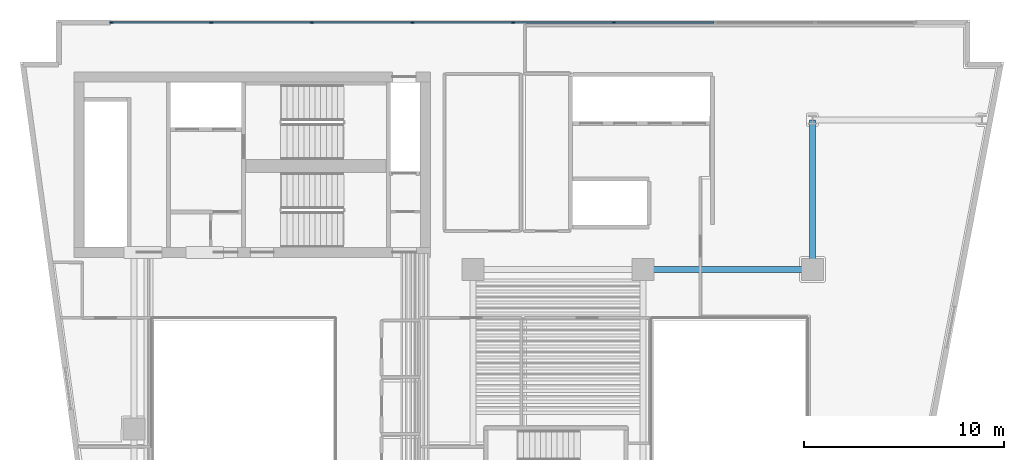
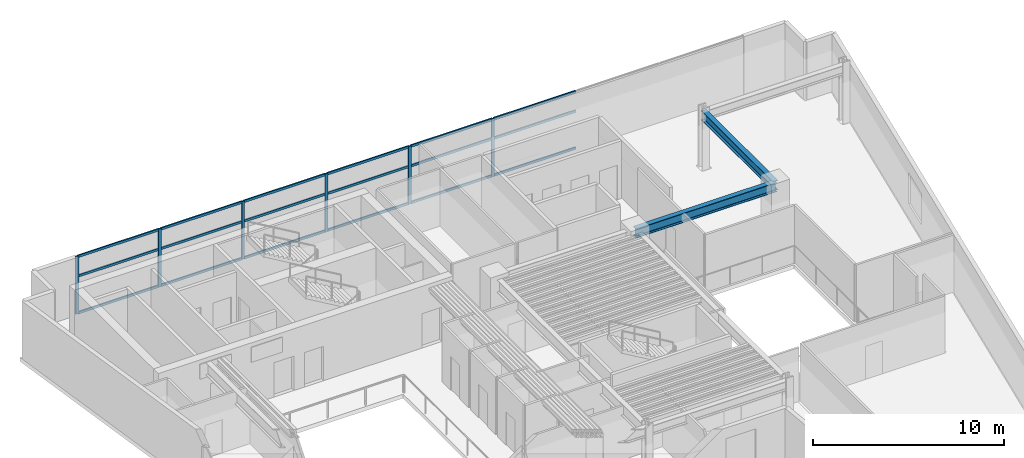
# One storey, part 3 of 12: 24 members, 2 beams, 1 element without a shape of its own.
"""IFC4 building model written with IfcOpenShell, lengths in metres."""

from ifc_helpers import new_model, si_unit, direction, frame, origin, origin_2d, place, context, subcontext, project, spatial, rectangle, i_section, extrude, material, layer, layer_set, material_profile, profile_set, type_object, element, aggregate, save


model = new_model("IFC4")

# Units and contexts
model_context = context("Model", 3, precision=1e-05, world=origin(), true_north=direction((0.0, 1.0)))
body_context = subcontext(model_context, "Body", "Model", "MODEL_VIEW")
ifc_project = project(units=[si_unit("LENGTHUNIT", "METRE"), si_unit("AREAUNIT", "SQUARE_METRE"), si_unit("VOLUMEUNIT", "CUBIC_METRE"), si_unit("PLANEANGLEUNIT", "RADIAN"), si_unit("MASSUNIT", "GRAM", prefix="KILO")], contexts=[model_context])

# Site, building, storey
site_placement = place(None, origin())
site = spatial("IfcSite", under=ifc_project, at=site_placement, CompositionType="ELEMENT")
building_placement = place(site_placement, origin())
building = spatial("IfcBuilding", under=site, at=building_placement, Name="Caeloran Harvest Quay", CompositionType="ELEMENT")
storey_placement = place(building_placement, frame((0.0, 0.0, 146.949951171875)))
storey = spatial("IfcBuildingStorey", under=building, at=storey_placement, Name="L34", CompositionType="ELEMENT", Elevation=146.949951171875)

# Beams
ifc_material_1 = material(Name="Steel S355J2", Category="steel")
ifc_material_profile_1 = material_profile(ifc_material_1, i_section(OverallWidth=0.300048828125, OverallDepth=0.60009765625, WebThickness=0.015380859375, FlangeThickness=0.030029296875, FilletRadius=0.027099609375, at=origin_2d()), Name="HE 600 B")
ifc_profile_set_1 = profile_set([ifc_material_profile_1], Name="Steel S355J2")
beam_type = type_object("IfcBeamType", Name="BM-PG-3-HE_600_B", PredefinedType="BEAM", material=ifc_profile_set_1)
beam_1_placement = place(storey_placement, frame((34.0, 31.0, 3.39013671875), z_axis=(1.0, 0.0, 0.0), x_axis=(0.0, 1.0, 0.0)))
element("IfcBeam", 1, at=beam_1_placement, inside=storey, type_object=beam_type, Name="L34 Primary East-West Girder Y=31.0", PredefinedType="BEAM", context=body_context, shape_type="SweptSolid", body=[
    extrude(i_section(OverallWidth=0.300048828125, OverallDepth=0.60009765625, WebThickness=0.015380859375, FlangeThickness=0.030029296875, FilletRadius=0.027099609375, at=origin_2d()), origin(), (0.0, 0.0, 1.0), 8.5),
])
beam_2_placement = place(storey_placement, frame((42.5, 31.0, 3.39013671875), z_axis=(0.0, 1.0, 0.0), x_axis=(-1.0, 0.0, 0.0)))
element("IfcBeam", 2, at=beam_2_placement, inside=storey, type_object=beam_type, Name="L34 Primary North-South Girder X=42.5", PredefinedType="BEAM", context=body_context, shape_type="SweptSolid", body=[
    extrude(i_section(OverallWidth=0.300048828125, OverallDepth=0.60009765625, WebThickness=0.015380859375, FlangeThickness=0.030029296875, FilletRadius=0.027099609375, at=origin_2d()), origin(), (0.0, 0.0, 1.0), 7.5),
])

# Curtain wall, members
ifc_material_2 = material(Name="Aluminium 6063-T6 and Low-E Glazing", Category="aluminium")
ifc_layer = layer(ifc_material_2, 0.18994140625, Name="Aluminium 6063-T6 and Low-E Glazing")
ifc_layer_set = layer_set([ifc_layer], Name="Aluminium 6063-T6 and Low-E Glazing")
curtain_wall_type = type_object("IfcCurtainWallType", Name="CW-SYS-CW-3", PredefinedType="USERDEFINED", material=ifc_layer_set)
curtain_wall_placement = place(storey_placement, origin())
curtain_wall = element("IfcCurtainWall", 3, at=curtain_wall_placement, inside=storey, type_object=curtain_wall_type, Name="L34 Unitised Curtain Wall CW-3 Run 6", ObjectType="CURTAIN_WALL", PredefinedType="USERDEFINED")
ifc_material_3 = material(Name="Aluminium 6063-T6", Category="aluminium")
ifc_material_profile_2 = material_profile(ifc_material_3, rectangle(XDim=0.080078125, YDim=0.179931640625, at=origin_2d()), Name="CW-MULLION-180")
ifc_profile_set_2 = profile_set([ifc_material_profile_2], Name="Aluminium 6063-T6")
member_type_1 = type_object("IfcMemberType", Name="CW-MULLION-180", PredefinedType="MULLION", material=ifc_profile_set_2)
member_1_placement = place(storey_placement, frame((7.3701171875, 43.3701171875, 0.0), z_axis=(0.0, 0.0, 1.0), x_axis=(0.0, 1.0, 0.0)))
member_1 = element("IfcMember", 4, at=member_1_placement, type_object=member_type_1, Name="CW-3 mullion 1", PredefinedType="MULLION", context=body_context, shape_type="SweptSolid", body=[
    extrude(rectangle(XDim=0.080078125, YDim=0.179931640625, at=origin_2d()), origin(), (0.0, 0.0, 1.0), 3.68994140625),
])
member_2_placement = place(storey_placement, frame((12.37255859375, 43.3701171875, 0.0), z_axis=(0.0, 0.0, 1.0), x_axis=(0.0, 1.0, 0.0)))
member_2 = element("IfcMember", 5, at=member_2_placement, type_object=member_type_1, Name="CW-3 mullion 2", PredefinedType="MULLION", context=body_context, shape_type="SweptSolid", body=[
    extrude(rectangle(XDim=0.080078125, YDim=0.179931640625, at=origin_2d()), origin(), (0.0, 0.0, 1.0), 3.68994140625),
])
member_3_placement = place(storey_placement, frame((17.4150390625, 43.3701171875, 0.0), z_axis=(0.0, 0.0, 1.0), x_axis=(0.0, 1.0, 0.0)))
member_3 = element("IfcMember", 6, at=member_3_placement, type_object=member_type_1, Name="CW-3 mullion 3", PredefinedType="MULLION", context=body_context, shape_type="SweptSolid", body=[
    extrude(rectangle(XDim=0.080078125, YDim=0.179931640625, at=origin_2d()), origin(), (0.0, 0.0, 1.0), 3.68994140625),
])
member_4_placement = place(storey_placement, frame((22.45751953125, 43.3701171875, 0.0), z_axis=(0.0, 0.0, 1.0), x_axis=(0.0, 1.0, 0.0)))
member_4 = element("IfcMember", 7, at=member_4_placement, type_object=member_type_1, Name="CW-3 mullion 4", PredefinedType="MULLION", context=body_context, shape_type="SweptSolid", body=[
    extrude(rectangle(XDim=0.080078125, YDim=0.179931640625, at=origin_2d()), origin(), (0.0, 0.0, 1.0), 3.68994140625),
])
member_5_placement = place(storey_placement, frame((27.5, 43.3701171875, 0.0), z_axis=(0.0, 0.0, 1.0), x_axis=(0.0, 1.0, 0.0)))
member_5 = element("IfcMember", 8, at=member_5_placement, type_object=member_type_1, Name="CW-3 mullion 5", PredefinedType="MULLION", context=body_context, shape_type="SweptSolid", body=[
    extrude(rectangle(XDim=0.080078125, YDim=0.179931640625, at=origin_2d()), origin(), (0.0, 0.0, 1.0), 3.68994140625),
])
member_6_placement = place(storey_placement, frame((32.54248046875, 43.3701171875, 0.0), z_axis=(0.0, 0.0, 1.0), x_axis=(0.0, 1.0, 0.0)))
member_6 = element("IfcMember", 9, at=member_6_placement, type_object=member_type_1, Name="CW-3 mullion 6", PredefinedType="MULLION", context=body_context, shape_type="SweptSolid", body=[
    extrude(rectangle(XDim=0.080078125, YDim=0.179931640625, at=origin_2d()), origin(), (0.0, 0.0, 1.0), 3.68994140625),
])
ifc_material_profile_3 = material_profile(ifc_material_3, rectangle(XDim=0.080078125, YDim=0.14990234375, at=origin_2d()), Name="CW-TRANSOM-150")
ifc_profile_set_3 = profile_set([ifc_material_profile_3], Name="Aluminium 6063-T6")
member_type_2 = type_object("IfcMemberType", Name="CW-TRANSOM-150", PredefinedType="USERDEFINED", material=ifc_profile_set_3)
member_7_placement = place(storey_placement, frame((7.409912109375, 43.3701171875, 0.0400390625), z_axis=(1.0, 0.0, 0.0), x_axis=(0.0, 1.0, 0.0)))
member_7 = element("IfcMember", 10, at=member_7_placement, type_object=member_type_2, Name="CW-3 transom 1.1", ObjectType="TRANSOM", PredefinedType="USERDEFINED", context=body_context, shape_type="SweptSolid", body=[
    extrude(rectangle(XDim=0.080078125, YDim=0.14990234375, at=origin_2d()), origin(), (0.0, 0.0, 1.0), 4.922607421875),
])
member_8_placement = place(storey_placement, frame((7.409912109375, 43.3701171875, 2.400146484375), z_axis=(1.0, 0.0, 0.0), x_axis=(0.0, 1.0, 0.0)))
member_8 = element("IfcMember", 11, at=member_8_placement, type_object=member_type_2, Name="CW-3 transom 1.2", ObjectType="TRANSOM", PredefinedType="USERDEFINED", context=body_context, shape_type="SweptSolid", body=[
    extrude(rectangle(XDim=0.080078125, YDim=0.14990234375, at=origin_2d()), origin(), (0.0, 0.0, 1.0), 4.922607421875),
])
member_9_placement = place(storey_placement, frame((7.409912109375, 43.3701171875, 3.650146484375), z_axis=(1.0, 0.0, 0.0), x_axis=(0.0, 1.0, 0.0)))
member_9 = element("IfcMember", 12, at=member_9_placement, type_object=member_type_2, Name="CW-3 transom 1.3", ObjectType="TRANSOM", PredefinedType="USERDEFINED", context=body_context, shape_type="SweptSolid", body=[
    extrude(rectangle(XDim=0.080078125, YDim=0.14990234375, at=origin_2d()), origin(), (0.0, 0.0, 1.0), 4.922607421875),
])
member_10_placement = place(storey_placement, frame((12.41259765625, 43.3701171875, 0.0400390625), z_axis=(1.0, 0.0, 0.0), x_axis=(0.0, 1.0, 0.0)))
member_10 = element("IfcMember", 13, at=member_10_placement, type_object=member_type_2, Name="CW-3 transom 2.1", ObjectType="TRANSOM", PredefinedType="USERDEFINED", context=body_context, shape_type="SweptSolid", body=[
    extrude(rectangle(XDim=0.080078125, YDim=0.14990234375, at=origin_2d()), origin(), (0.0, 0.0, 1.0), 4.96240234375),
])
member_11_placement = place(storey_placement, frame((12.41259765625, 43.3701171875, 2.400146484375), z_axis=(1.0, 0.0, 0.0), x_axis=(0.0, 1.0, 0.0)))
member_11 = element("IfcMember", 14, at=member_11_placement, type_object=member_type_2, Name="CW-3 transom 2.2", ObjectType="TRANSOM", PredefinedType="USERDEFINED", context=body_context, shape_type="SweptSolid", body=[
    extrude(rectangle(XDim=0.080078125, YDim=0.14990234375, at=origin_2d()), origin(), (0.0, 0.0, 1.0), 4.96240234375),
])
member_12_placement = place(storey_placement, frame((12.41259765625, 43.3701171875, 3.650146484375), z_axis=(1.0, 0.0, 0.0), x_axis=(0.0, 1.0, 0.0)))
member_12 = element("IfcMember", 15, at=member_12_placement, type_object=member_type_2, Name="CW-3 transom 2.3", ObjectType="TRANSOM", PredefinedType="USERDEFINED", context=body_context, shape_type="SweptSolid", body=[
    extrude(rectangle(XDim=0.080078125, YDim=0.14990234375, at=origin_2d()), origin(), (0.0, 0.0, 1.0), 4.96240234375),
])
member_13_placement = place(storey_placement, frame((17.455078125, 43.3701171875, 0.0400390625), z_axis=(1.0, 0.0, 0.0), x_axis=(0.0, 1.0, 0.0)))
member_13 = element("IfcMember", 16, at=member_13_placement, type_object=member_type_2, Name="CW-3 transom 3.1", ObjectType="TRANSOM", PredefinedType="USERDEFINED", context=body_context, shape_type="SweptSolid", body=[
    extrude(rectangle(XDim=0.080078125, YDim=0.14990234375, at=origin_2d()), origin(), (0.0, 0.0, 1.0), 4.96240234375),
])
member_14_placement = place(storey_placement, frame((17.455078125, 43.3701171875, 2.400146484375), z_axis=(1.0, 0.0, 0.0), x_axis=(0.0, 1.0, 0.0)))
member_14 = element("IfcMember", 17, at=member_14_placement, type_object=member_type_2, Name="CW-3 transom 3.2", ObjectType="TRANSOM", PredefinedType="USERDEFINED", context=body_context, shape_type="SweptSolid", body=[
    extrude(rectangle(XDim=0.080078125, YDim=0.14990234375, at=origin_2d()), origin(), (0.0, 0.0, 1.0), 4.96240234375),
])
member_15_placement = place(storey_placement, frame((17.455078125, 43.3701171875, 3.650146484375), z_axis=(1.0, 0.0, 0.0), x_axis=(0.0, 1.0, 0.0)))
member_15 = element("IfcMember", 18, at=member_15_placement, type_object=member_type_2, Name="CW-3 transom 3.3", ObjectType="TRANSOM", PredefinedType="USERDEFINED", context=body_context, shape_type="SweptSolid", body=[
    extrude(rectangle(XDim=0.080078125, YDim=0.14990234375, at=origin_2d()), origin(), (0.0, 0.0, 1.0), 4.96240234375),
])
member_16_placement = place(storey_placement, frame((22.49755859375, 43.3701171875, 0.0400390625), z_axis=(1.0, 0.0, 0.0), x_axis=(0.0, 1.0, 0.0)))
member_16 = element("IfcMember", 19, at=member_16_placement, type_object=member_type_2, Name="CW-3 transom 4.1", ObjectType="TRANSOM", PredefinedType="USERDEFINED", context=body_context, shape_type="SweptSolid", body=[
    extrude(rectangle(XDim=0.080078125, YDim=0.14990234375, at=origin_2d()), origin(), (0.0, 0.0, 1.0), 4.96240234375),
])
member_17_placement = place(storey_placement, frame((22.49755859375, 43.3701171875, 2.400146484375), z_axis=(1.0, 0.0, 0.0), x_axis=(0.0, 1.0, 0.0)))
member_17 = element("IfcMember", 20, at=member_17_placement, type_object=member_type_2, Name="CW-3 transom 4.2", ObjectType="TRANSOM", PredefinedType="USERDEFINED", context=body_context, shape_type="SweptSolid", body=[
    extrude(rectangle(XDim=0.080078125, YDim=0.14990234375, at=origin_2d()), origin(), (0.0, 0.0, 1.0), 4.96240234375),
])
member_18_placement = place(storey_placement, frame((22.49755859375, 43.3701171875, 3.650146484375), z_axis=(1.0, 0.0, 0.0), x_axis=(0.0, 1.0, 0.0)))
member_18 = element("IfcMember", 21, at=member_18_placement, type_object=member_type_2, Name="CW-3 transom 4.3", ObjectType="TRANSOM", PredefinedType="USERDEFINED", context=body_context, shape_type="SweptSolid", body=[
    extrude(rectangle(XDim=0.080078125, YDim=0.14990234375, at=origin_2d()), origin(), (0.0, 0.0, 1.0), 4.96240234375),
])
member_19_placement = place(storey_placement, frame((27.5400390625, 43.3701171875, 0.0400390625), z_axis=(1.0, 0.0, 0.0), x_axis=(0.0, 1.0, 0.0)))
member_19 = element("IfcMember", 22, at=member_19_placement, type_object=member_type_2, Name="CW-3 transom 5.1", ObjectType="TRANSOM", PredefinedType="USERDEFINED", context=body_context, shape_type="SweptSolid", body=[
    extrude(rectangle(XDim=0.080078125, YDim=0.14990234375, at=origin_2d()), origin(), (0.0, 0.0, 1.0), 4.96240234375),
])
member_20_placement = place(storey_placement, frame((27.5400390625, 43.3701171875, 2.400146484375), z_axis=(1.0, 0.0, 0.0), x_axis=(0.0, 1.0, 0.0)))
member_20 = element("IfcMember", 23, at=member_20_placement, type_object=member_type_2, Name="CW-3 transom 5.2", ObjectType="TRANSOM", PredefinedType="USERDEFINED", context=body_context, shape_type="SweptSolid", body=[
    extrude(rectangle(XDim=0.080078125, YDim=0.14990234375, at=origin_2d()), origin(), (0.0, 0.0, 1.0), 4.96240234375),
])
member_21_placement = place(storey_placement, frame((27.5400390625, 43.3701171875, 3.650146484375), z_axis=(1.0, 0.0, 0.0), x_axis=(0.0, 1.0, 0.0)))
member_21 = element("IfcMember", 24, at=member_21_placement, type_object=member_type_2, Name="CW-3 transom 5.3", ObjectType="TRANSOM", PredefinedType="USERDEFINED", context=body_context, shape_type="SweptSolid", body=[
    extrude(rectangle(XDim=0.080078125, YDim=0.14990234375, at=origin_2d()), origin(), (0.0, 0.0, 1.0), 4.96240234375),
])
member_22_placement = place(storey_placement, frame((32.58251953125, 43.3701171875, 0.0400390625), z_axis=(1.0, 0.0, 0.0), x_axis=(0.0, 1.0, 0.0)))
member_22 = element("IfcMember", 25, at=member_22_placement, type_object=member_type_2, Name="CW-3 transom 6.1", ObjectType="TRANSOM", PredefinedType="USERDEFINED", context=body_context, shape_type="SweptSolid", body=[
    extrude(rectangle(XDim=0.080078125, YDim=0.14990234375, at=origin_2d()), origin(), (0.0, 0.0, 1.0), 4.96240234375),
])
member_23_placement = place(storey_placement, frame((32.58251953125, 43.3701171875, 2.400146484375), z_axis=(1.0, 0.0, 0.0), x_axis=(0.0, 1.0, 0.0)))
member_23 = element("IfcMember", 26, at=member_23_placement, type_object=member_type_2, Name="CW-3 transom 6.2", ObjectType="TRANSOM", PredefinedType="USERDEFINED", context=body_context, shape_type="SweptSolid", body=[
    extrude(rectangle(XDim=0.080078125, YDim=0.14990234375, at=origin_2d()), origin(), (0.0, 0.0, 1.0), 4.96240234375),
])
member_24_placement = place(storey_placement, frame((32.58251953125, 43.3701171875, 3.650146484375), z_axis=(1.0, 0.0, 0.0), x_axis=(0.0, 1.0, 0.0)))
member_24 = element("IfcMember", 27, at=member_24_placement, type_object=member_type_2, Name="CW-3 transom 6.3", ObjectType="TRANSOM", PredefinedType="USERDEFINED", context=body_context, shape_type="SweptSolid", body=[
    extrude(rectangle(XDim=0.080078125, YDim=0.14990234375, at=origin_2d()), origin(), (0.0, 0.0, 1.0), 4.96240234375),
])
aggregate(curtain_wall, [member_1, member_2, member_3, member_4, member_5, member_6, member_7, member_8, member_9, member_10, member_11, member_12, member_13, member_14, member_15, member_16, member_17, member_18, member_19, member_20, member_21, member_22, member_23, member_24])

save(model, "model.ifc")
